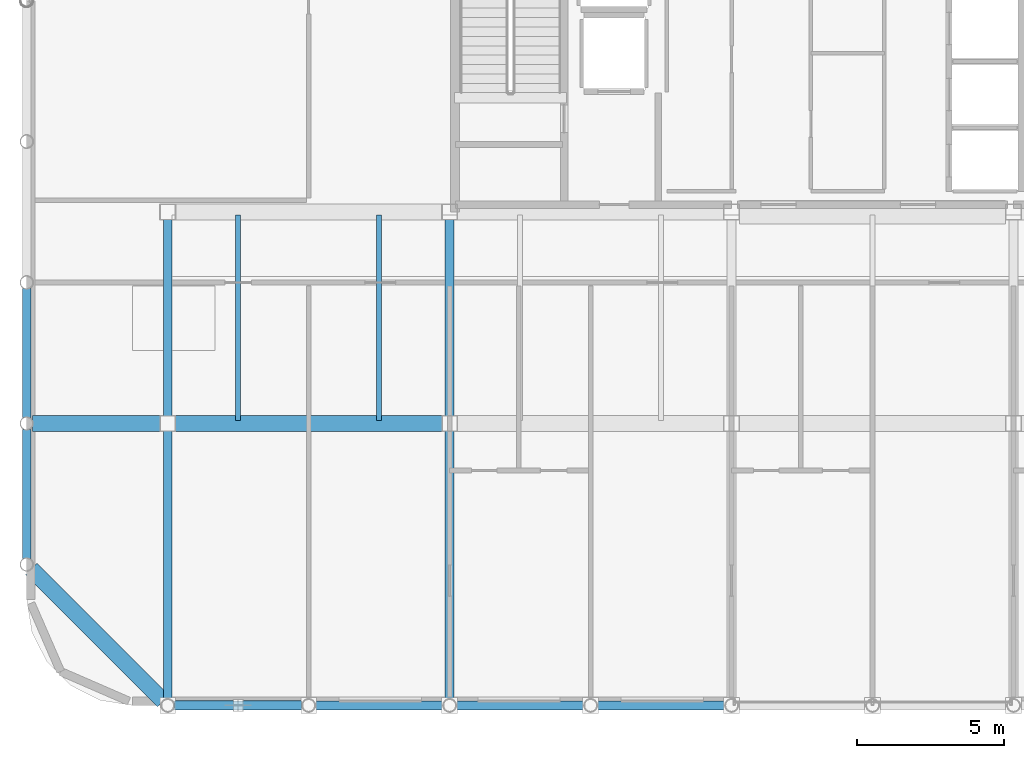
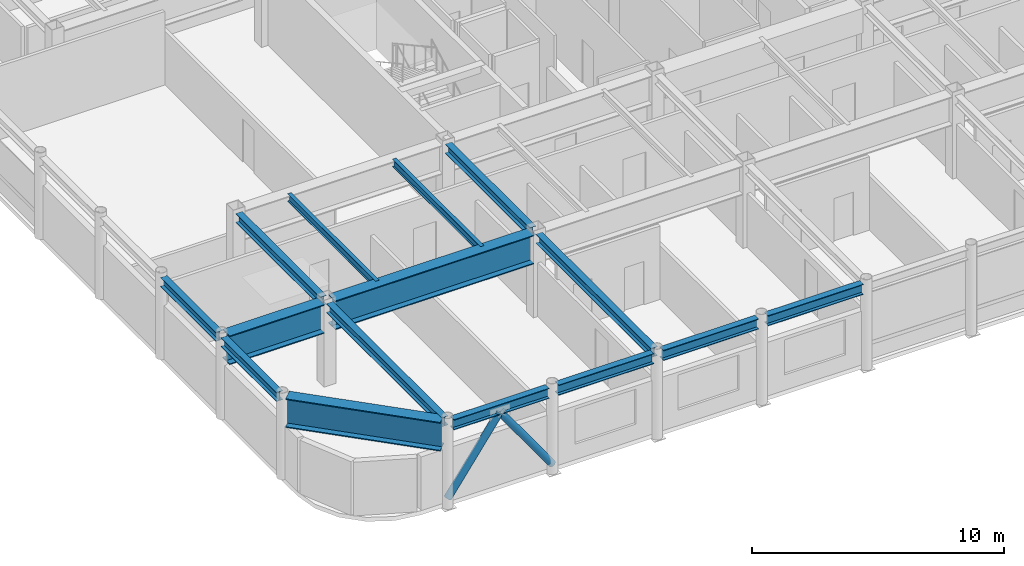
# One storey, part 4 of 23: 15 beams, 2 members.
"""IFC4 building model written with IfcOpenShell, lengths in metres."""

import ifcopenshell
import ifcopenshell.guid

model = None  # the IFC model being written
_history = None  # IfcOwnerHistory: only IFC2X3 demands one
_inside = {}  # id of a spatial element -> (the spatial element, [elements in it])
_under = {}  # id of a project, library or spatial element -> (it, [spatial elements below it])
_declared = {}  # id of a project -> (the project, [libraries it declares])
_typed = {}  # id of a type object -> (the type object, [elements of that type])
_made_of = {}  # id of a material, layer set ... -> (it, [elements and type objects made of it])


def new_model(schema):
    """Start an empty IFC model of exactly this schema.

    Asked for "IFC4X3", IfcOpenShell would pick the latest addendum, in which some entities
    have other attributes; the version numbers below select the first issue.
    IFC2X3 requires an IfcOwnerHistory on every rooted entity: one is made here for all.
    """
    global model, _history
    if schema == "IFC4X3":
        model = ifcopenshell.file(schema_version=(4, 3, 0, 0))
    else:
        model = ifcopenshell.file(schema=schema)
    _inside.clear()
    _under.clear()
    _declared.clear()
    _typed.clear()
    _made_of.clear()
    _history = None
    if model.schema == "IFC2X3":
        org = make("IfcOrganization", Name="unknown")
        user = make(
            "IfcPersonAndOrganization",
            ThePerson=make("IfcPerson", FamilyName="unknown"),
            TheOrganization=org,
        )
        app = make(
            "IfcApplication",
            ApplicationDeveloper=org,
            Version="unknown",
            ApplicationFullName="unknown",
            ApplicationIdentifier="unknown",
        )
        _history = make(
            "IfcOwnerHistory",
            OwningUser=user,
            OwningApplication=app,
            ChangeAction="ADDED",
            CreationDate=0,
        )
    return model


def make(cls, **values):
    """One entity of the class cls with the attributes given. An attribute that is None is left unset."""
    return model.create_entity(
        cls, **{name: value for name, value in values.items() if value is not None}
    )


def rooted(cls, **values):
    """An entity with a GlobalId (a new one), such as an element, a storey or a relation."""
    return make(cls, GlobalId=ifcopenshell.guid.new(), OwnerHistory=_history, **values)


def si_unit(unit_type, name, prefix=None):
    """IfcSIUnit, for example si_unit("LENGTHUNIT", "METRE", prefix="MILLI")."""
    return make("IfcSIUnit", UnitType=unit_type, Prefix=prefix, Name=name)


def assignment(units):
    """IfcUnitAssignment: the units of a project."""
    return None if units is None else make("IfcUnitAssignment", Units=units)


def point(xyz):
    """IfcCartesianPoint."""
    return None if xyz is None else make("IfcCartesianPoint", Coordinates=xyz)


def direction(xyz):
    """IfcDirection."""
    return None if xyz is None else make("IfcDirection", DirectionRatios=xyz)


def frame(location, z_axis=None, x_axis=None):
    """IfcAxis2Placement3D, a coordinate frame: its origin and axes. An axis left out is left unset."""
    return make(
        "IfcAxis2Placement3D",
        Location=point(location),
        Axis=direction(z_axis),
        RefDirection=direction(x_axis),
    )


def frame_2d(location, x_axis=None):
    """IfcAxis2Placement2D, a coordinate frame in the plane: its origin and x axis."""
    return make(
        "IfcAxis2Placement2D", Location=point(location), RefDirection=direction(x_axis)
    )


def origin():
    """The frame at (0, 0, 0) with its axes left unset."""
    return frame((0.0, 0.0, 0.0))


def origin_2d():
    """The frame at (0, 0) in the plane with its x axis left unset."""
    return frame_2d((0.0, 0.0))


def place(relative_to, where):
    """IfcLocalPlacement: puts the frame where relative to a parent placement (None: the world)."""
    return make(
        "IfcLocalPlacement", PlacementRelTo=relative_to, RelativePlacement=where
    )


def context(
    kind, dimensions, precision=None, world=None, true_north=None, identifier=None
):
    """IfcGeometricRepresentationContext, for example the 3D "Model" context."""
    return make(
        "IfcGeometricRepresentationContext",
        ContextIdentifier=identifier,
        ContextType=kind,
        CoordinateSpaceDimension=dimensions,
        Precision=precision,
        WorldCoordinateSystem=world,
        TrueNorth=true_north,
    )


def subcontext(parent, identifier, kind, view, scale=None):
    """IfcGeometricRepresentationSubContext, for example "Body" below "Model"."""
    return make(
        "IfcGeometricRepresentationSubContext",
        ContextIdentifier=identifier,
        ContextType=kind,
        ParentContext=parent,
        TargetScale=scale,
        TargetView=view,
    )


def project(units=None, contexts=None):
    """IfcProject with its units and contexts."""
    return rooted(
        "IfcProject",
        Name="project",
        RepresentationContexts=contexts,
        UnitsInContext=assignment(units),
    )


def spatial(cls, under=None, at=None, **own):
    """A site, building, storey or space (cls), placed at a placement, below another one or the project."""
    s = rooted(cls, ObjectPlacement=at, **own)
    if under is not None:
        _under.setdefault(under.id(), (under, []))[1].append(s)
    return s


def profile(cls, at=None, kind="AREA", **sizes):
    """A parametric profile (cls). Its sizes go by their IFC names, for example OverallWidth=200.0."""
    return make(cls, ProfileType=kind, Position=at, **sizes)


def hollow_circle(**sizes):
    """IfcCircleHollowProfileDef."""
    return profile("IfcCircleHollowProfileDef", **sizes)


def i_section(**sizes):
    """IfcIShapeProfileDef."""
    return profile("IfcIShapeProfileDef", **sizes)


def extrude(swept, where, along, depth):
    """IfcExtrudedAreaSolid: the profile swept, set in the frame where, extruded along a direction by depth."""
    return make(
        "IfcExtrudedAreaSolid",
        SweptArea=swept,
        Position=where,
        ExtrudedDirection=direction(along),
        Depth=depth,
    )


def shape(context_of_items, identifier, shape_type, items):
    """IfcShapeRepresentation: the items that make up one representation, for example the "Body"."""
    return make(
        "IfcShapeRepresentation",
        ContextOfItems=context_of_items,
        RepresentationIdentifier=identifier,
        RepresentationType=shape_type,
        Items=items,
    )


def material(Name=None, Category=None):
    """IfcMaterial."""
    return make("IfcMaterial", Name=Name, Category=Category)


def material_profile(
    of_material, cross_section, Name=None, Category=None, Priority=None
):
    """IfcMaterialProfile: a cross section and its material."""
    return make(
        "IfcMaterialProfile",
        Name=Name,
        Material=of_material,
        Profile=cross_section,
        Priority=Priority,
        Category=Category,
    )


def profile_set(profiles, Name=None, composite=None):
    """IfcMaterialProfileSet."""
    return make(
        "IfcMaterialProfileSet",
        Name=Name,
        MaterialProfiles=profiles,
        CompositeProfile=composite,
    )


def made_of(thing, what):
    """Note that an element or type object is made of a material, layer set ...; save() writes the relation."""
    if what is not None:
        _made_of.setdefault(what.id(), (what, []))[1].append(thing)
    return thing


def type_object(cls, material=None, **own):
    """A type object (cls), such as IfcWallType, which elements share."""
    return made_of(rooted(cls, **own), material)


def element(
    cls,
    number,
    at=None,
    inside=None,
    cuts=None,
    type_object=None,
    material=None,
    context=None,
    identifier="Body",
    shape_type=None,
    held_by="IfcProductDefinitionShape",
    body=None,
    shapes=None,
    **own,
):
    """One element of the class cls, such as IfcWall. Its Tag is "e" and its number.

    at: its placement. inside: the storey or other place that contains it. cuts: it is an
    opening in that element (IfcRelVoidsElement). A single representation is given by context,
    identifier, shape_type and body (its items); several are given by shapes. held_by: the class
    of the entity that holds the representations. save() writes the other relations.
    """
    e = rooted(cls, Tag="e%d" % number, ObjectPlacement=at, **own)
    if body is not None:
        shapes = [shape(context, identifier, shape_type, body)]
    if shapes is not None:
        e.Representation = make(held_by, Representations=shapes)
    if inside is not None:
        _inside.setdefault(inside.id(), (inside, []))[1].append(e)
    if cuts is not None:
        rooted(
            "IfcRelVoidsElement", RelatingBuildingElement=cuts, RelatedOpeningElement=e
        )
    if type_object is not None:
        _typed.setdefault(type_object.id(), (type_object, []))[1].append(e)
    return made_of(e, material)


def aggregate(whole, parts):
    """IfcRelAggregates: a whole, such as a stair, and the parts it consists of."""
    return rooted("IfcRelAggregates", RelatingObject=whole, RelatedObjects=parts)


def save(model, path):
    """Write the relations noted so far, then the file.

    IfcRelAggregates (storeys below a building ...), IfcRelContainedInSpatialStructure (elements
    in a storey), IfcRelDefinesByType, IfcRelAssociatesMaterial and IfcRelDeclares: one each for
    every whole, place, type object, material and project.
    """
    for whole, parts in _under.values():
        aggregate(whole, parts)
    for where, things in _inside.values():
        rooted(
            "IfcRelContainedInSpatialStructure",
            RelatedElements=things,
            RelatingStructure=where,
        )
    for kind, things in _typed.values():
        rooted("IfcRelDefinesByType", RelatedObjects=things, RelatingType=kind)
    for what, things in _made_of.values():
        rooted("IfcRelAssociatesMaterial", RelatedObjects=things, RelatingMaterial=what)
    for by, libraries in _declared.values():
        rooted("IfcRelDeclares", RelatingContext=by, RelatedDefinitions=libraries)
    model.write(path)


model = new_model("IFC4")

# Units and contexts
model_context = context("Model", 3, precision=1e-05, world=origin(), true_north=direction((0.0, 1.0)))
body_context = subcontext(model_context, "Body", "Model", "MODEL_VIEW")
ifc_project = project(units=[si_unit("LENGTHUNIT", "METRE"), si_unit("AREAUNIT", "SQUARE_METRE"), si_unit("VOLUMEUNIT", "CUBIC_METRE"), si_unit("PLANEANGLEUNIT", "RADIAN"), si_unit("MASSUNIT", "GRAM", prefix="KILO")], contexts=[model_context])

# Site, building, storey
site_placement = place(None, origin())
site = spatial("IfcSite", under=ifc_project, at=site_placement, CompositionType="ELEMENT")
building_placement = place(site_placement, origin())
building = spatial("IfcBuilding", under=site, at=building_placement, Name="Kallvorn Hotel Tower", CompositionType="ELEMENT")
storey_placement = place(building_placement, frame((0.0, 0.0, 282.199951171875)))
storey = spatial("IfcBuildingStorey", under=building, at=storey_placement, Name="L70", CompositionType="ELEMENT", Elevation=282.199951171875)

# Beams
ifc_material_1 = material(Name="Structural steel S355JR", Category="steel")
ifc_material_profile_1 = material_profile(ifc_material_1, i_section(OverallWidth=0.300048828125, OverallDepth=0.43994140625, WebThickness=0.011474609375, FlangeThickness=0.02099609375, at=origin_2d()), Name="HE 450 A")
ifc_profile_set_1 = profile_set([ifc_material_profile_1], Name="Structural steel S355JR")
beam_type_1 = type_object("IfcBeamType", Name="BM_HE450A", PredefinedType="BEAM", material=ifc_profile_set_1)
for number, where, z_axis, x_axis, name in (
    (1, (-28.800048828125, -18.99658203125, 3.780029296875), (0.0, 1.0, 0.0), (-1.0, 0.0, 0.0), "L71 Primary Y-Girder 25"),
    (2, (-28.800048828125, -14.196533203125, 3.780029296875), (0.0, 1.0, 0.0), (-1.0, 0.0, 0.0), "L71 Primary Y-Girder 26"),
):
    element("IfcBeam", number, at=place(storey_placement, frame(where, z_axis=z_axis, x_axis=x_axis)), inside=storey, type_object=beam_type_1, Name=name, PredefinedType="BEAM", context=body_context, shape_type="SweptSolid", body=[
        extrude(i_section(OverallWidth=0.300048828125, OverallDepth=0.43994140625, WebThickness=0.011474609375, FlangeThickness=0.02099609375, at=origin_2d()), origin(), (0.0, 0.0, 1.0), 4.39306640625),
    ])
beam_1_placement = place(storey_placement, frame((-24.0, -23.79638671875, 3.780029296875), z_axis=(0.0, 1.0, 0.0), x_axis=(-1.0, 0.0, 0.0)))
element("IfcBeam", 3, at=beam_1_placement, inside=storey, type_object=beam_type_1, Name="L71 Primary Y-Girder 31", PredefinedType="BEAM", context=body_context, shape_type="SweptSolid", body=[
    extrude(i_section(OverallWidth=0.300048828125, OverallDepth=0.43994140625, WebThickness=0.011474609375, FlangeThickness=0.02099609375, at=origin_2d()), origin(), (0.0, 0.0, 1.0), 9.146484375),
])
beam_2_placement = place(storey_placement, frame((-24.0, -14.14990234375, 3.780029296875), z_axis=(0.0, 1.0, 0.0), x_axis=(-1.0, 0.0, 0.0)))
element("IfcBeam", 4, at=beam_2_placement, inside=storey, type_object=beam_type_1, Name="L71 Primary Y-Girder 32", PredefinedType="BEAM", context=body_context, shape_type="SweptSolid", body=[
    extrude(i_section(OverallWidth=0.300048828125, OverallDepth=0.43994140625, WebThickness=0.011474609375, FlangeThickness=0.02099609375, at=origin_2d()), origin(), (0.0, 0.0, 1.0), 6.699951171875),
])
beam_3_placement = place(storey_placement, frame((-14.39990234375, -23.79638671875, 3.780029296875), z_axis=(0.0, 1.0, 0.0), x_axis=(-1.0, 0.0, 0.0)))
element("IfcBeam", 5, at=beam_3_placement, inside=storey, type_object=beam_type_1, Name="L71 Primary Y-Girder 34", PredefinedType="BEAM", context=body_context, shape_type="SweptSolid", body=[
    extrude(i_section(OverallWidth=0.300048828125, OverallDepth=0.43994140625, WebThickness=0.011474609375, FlangeThickness=0.02099609375, at=origin_2d()), origin(), (0.0, 0.0, 1.0), 9.146484375),
])
beam_4_placement = place(storey_placement, frame((-14.39990234375, -14.14990234375, 3.780029296875), z_axis=(0.0, 1.0, 0.0), x_axis=(-1.0, 0.0, 0.0)))
element("IfcBeam", 6, at=beam_4_placement, inside=storey, type_object=beam_type_1, Name="L71 Primary Y-Girder 35", PredefinedType="BEAM", context=body_context, shape_type="SweptSolid", body=[
    extrude(i_section(OverallWidth=0.300048828125, OverallDepth=0.43994140625, WebThickness=0.011474609375, FlangeThickness=0.02099609375, at=origin_2d()), origin(), (0.0, 0.0, 1.0), 6.699951171875),
])
ifc_material_2 = material(Name="Structural steel S355JR", Category="steel")
ifc_material_profile_2 = material_profile(ifc_material_2, i_section(OverallWidth=0.300048828125, OverallDepth=0.5, WebThickness=0.014404296875, FlangeThickness=0.028076171875, at=origin_2d()), Name="HE 500 B")
ifc_profile_set_2 = profile_set([ifc_material_profile_2], Name="Structural steel S355JR")
beam_type_2 = type_object("IfcBeamType", Name="BM_HE500B", PredefinedType="SPANDREL", material=ifc_profile_set_2)
for number, where, z_axis, x_axis, name in (
    (7, (-23.781494140625, -24.0, 3.75), (1.0, 0.0, 0.0), (0.0, 1.0, 0.0), "L71 Perimeter Spandrel 54"),
    (8, (-18.9814453125, -24.0, 3.75), (1.0, 0.0, 0.0), (0.0, 1.0, 0.0), "L71 Perimeter Spandrel 55"),
):
    element("IfcBeam", number, at=place(storey_placement, frame(where, z_axis=z_axis, x_axis=x_axis)), inside=storey, type_object=beam_type_2, Name=name, PredefinedType="SPANDREL", context=body_context, shape_type="SweptSolid", body=[
        extrude(i_section(OverallWidth=0.300048828125, OverallDepth=0.5, WebThickness=0.014404296875, FlangeThickness=0.028076171875, at=origin_2d()), origin(), (0.0, 0.0, 1.0), 4.363037109375),
    ])
beam_5_placement = place(storey_placement, frame((-14.181396484375, -24.0, 3.75), z_axis=(1.0, 0.0, 0.0), x_axis=(0.0, 1.0, 0.0)))
element("IfcBeam", 9, at=beam_5_placement, inside=storey, type_object=beam_type_2, Name="L71 Perimeter Spandrel 56", PredefinedType="SPANDREL", context=body_context, shape_type="SweptSolid", body=[
    extrude(i_section(OverallWidth=0.300048828125, OverallDepth=0.5, WebThickness=0.014404296875, FlangeThickness=0.028076171875, at=origin_2d()), origin(), (0.0, 0.0, 1.0), 4.36279296875),
])
beam_6_placement = place(storey_placement, frame((-9.381591796875, -24.0, 3.75), z_axis=(1.0, 0.0, 0.0), x_axis=(0.0, 1.0, 0.0)))
element("IfcBeam", 10, at=beam_6_placement, inside=storey, type_object=beam_type_2, Name="L71 Perimeter Spandrel 57", PredefinedType="SPANDREL", context=body_context, shape_type="SweptSolid", body=[
    extrude(i_section(OverallWidth=0.300048828125, OverallDepth=0.5, WebThickness=0.014404296875, FlangeThickness=0.028076171875, at=origin_2d()), origin(), (0.0, 0.0, 1.0), 4.363037109375),
])
ifc_material_3 = material(Name="Structural steel S355JR", Category="steel")
ifc_material_profile_3 = material_profile(ifc_material_3, i_section(OverallWidth=0.169921875, OverallDepth=0.360107421875, WebThickness=0.008056640625, FlangeThickness=0.0126953125, at=origin_2d()), Name="IPE 360")
ifc_profile_set_3 = profile_set([ifc_material_profile_3], Name="Structural steel S355JR")
beam_type_3 = type_object("IfcBeamType", Name="BM_IPE360", PredefinedType="JOIST", material=ifc_profile_set_3)
for number, where, z_axis, x_axis, name in (
    (11, (-21.60009765625, -14.300048828125, 3.820068359375), (0.0, 1.0, 0.0), (-1.0, 0.0, 0.0), "L71 Secondary Composite Joist 90"),
    (12, (-16.800048828125, -14.300048828125, 3.820068359375), (0.0, 1.0, 0.0), (-1.0, 0.0, 0.0), "L71 Secondary Composite Joist 92"),
):
    element("IfcBeam", number, at=place(storey_placement, frame(where, z_axis=z_axis, x_axis=x_axis)), inside=storey, type_object=beam_type_3, Name=name, PredefinedType="JOIST", context=body_context, shape_type="SweptSolid", body=[
        extrude(i_section(OverallWidth=0.169921875, OverallDepth=0.360107421875, WebThickness=0.008056640625, FlangeThickness=0.0126953125, at=origin_2d()), origin(), (0.0, 0.0, 1.0), 7.0),
    ])
ifc_material_4 = material(Name="Structural steel S355JR", Category="steel")
ifc_material_profile_4 = material_profile(ifc_material_4, i_section(OverallWidth=0.550048828125, OverallDepth=1.39990234375, WebThickness=0.02490234375, FlangeThickness=0.044921875, at=origin_2d()), Name="PG 1400x550x25x45")
ifc_profile_set_4 = profile_set([ifc_material_profile_4], Name="Structural steel S355JR")
beam_type_4 = type_object("IfcBeamType", Name="BM_PG_1400", PredefinedType="BEAM", material=ifc_profile_set_4)
beam_7_placement = place(storey_placement, frame((-28.596435546875, -14.39990234375, 3.300048828125), z_axis=(1.0, 0.0, 0.0), x_axis=(0.0, 1.0, 0.0)))
element("IfcBeam", 13, at=beam_7_placement, inside=storey, type_object=beam_type_4, Name="L71 Primary X-Girder 01", PredefinedType="BEAM", context=body_context, shape_type="SweptSolid", body=[
    extrude(i_section(OverallWidth=0.550048828125, OverallDepth=1.39990234375, WebThickness=0.02490234375, FlangeThickness=0.044921875, at=origin_2d()), origin(), (0.0, 0.0, 1.0), 4.346435546875),
])
beam_8_placement = place(storey_placement, frame((-23.75, -14.39990234375, 3.300048828125), z_axis=(1.0, 0.0, 0.0), x_axis=(0.0, 1.0, 0.0)))
element("IfcBeam", 14, at=beam_8_placement, inside=storey, type_object=beam_type_4, Name="L71 Primary X-Girder 02", PredefinedType="BEAM", context=body_context, shape_type="SweptSolid", body=[
    extrude(i_section(OverallWidth=0.550048828125, OverallDepth=1.39990234375, WebThickness=0.02490234375, FlangeThickness=0.044921875, at=origin_2d()), origin(), (0.0, 0.0, 1.0), 9.10009765625),
])
beam_9_placement = place(storey_placement, frame((-28.6455078125, -19.3544921875, 3.300048828125), z_axis=(0.707106781187, -0.707106781187, 0.0), x_axis=(0.707106781187, 0.707106781187, 0.0)))
element("IfcBeam", 15, at=beam_9_placement, inside=storey, type_object=beam_type_4, Name="L71 Rounded Corner Tie Beam 86", PredefinedType="BEAM", context=body_context, shape_type="SweptSolid", body=[
    extrude(i_section(OverallWidth=0.550048828125, OverallDepth=1.39990234375, WebThickness=0.02490234375, FlangeThickness=0.044921875, at=origin_2d()), origin(), (0.0, 0.0, 1.0), 6.35107421875),
])

# Members
ifc_material_5 = material(Name="Structural steel S355J2H", Category="steel")
ifc_material_profile_5 = material_profile(ifc_material_5, hollow_circle(Radius=0.161865234375, WallThickness=0.012451171875, at=origin_2d()), Name="CHS 323.9x12.5")
ifc_profile_set_5 = profile_set([ifc_material_profile_5], Name="Structural steel S355J2H")
member_type = type_object("IfcMemberType", Name="MBR_EXO_CHS323", PredefinedType="BRACE", material=ifc_profile_set_5)
for number, where, z_axis, x_axis, name in (
    (16, (-23.98828125, -24.0, 0.1962890625), (0.581238193719, 0.0, 0.813733471207), (0.0, 1.0, 0.0), "L70 Exoskeleton K-Brace S1A"),
    (17, (-19.211669921875, -24.0, 0.1962890625), (-0.581238193719, 0.0, 0.813733471207), (0.0, -1.0, 0.0), "L70 Exoskeleton K-Brace S1B"),
):
    element("IfcMember", number, at=place(storey_placement, frame(where, z_axis=z_axis, x_axis=x_axis)), inside=storey, type_object=member_type, Name=name, PredefinedType="BRACE", context=body_context, shape_type="SweptSolid", body=[
        extrude(hollow_circle(Radius=0.161865234375, WallThickness=0.012451171875, at=origin_2d()), origin(), (0.0, 0.0, 1.0), 4.089111328125),
    ])

save(model, "model.ifc")
